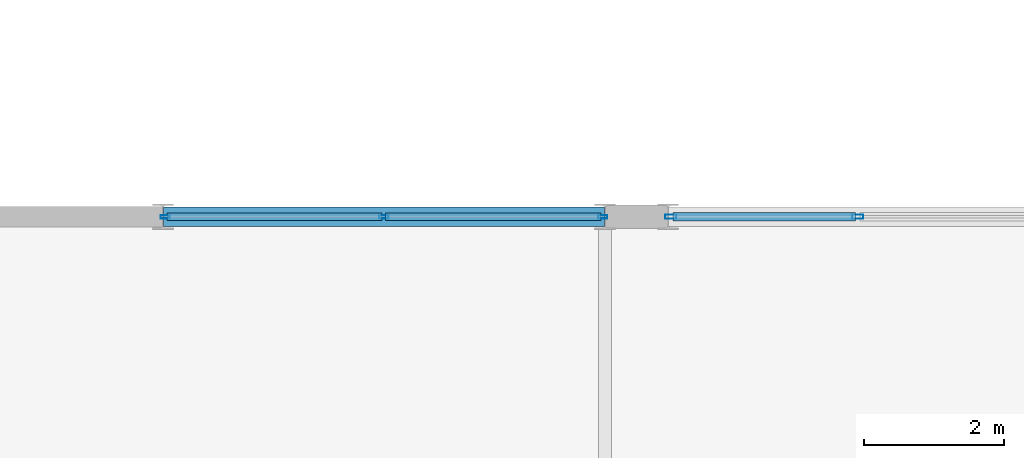
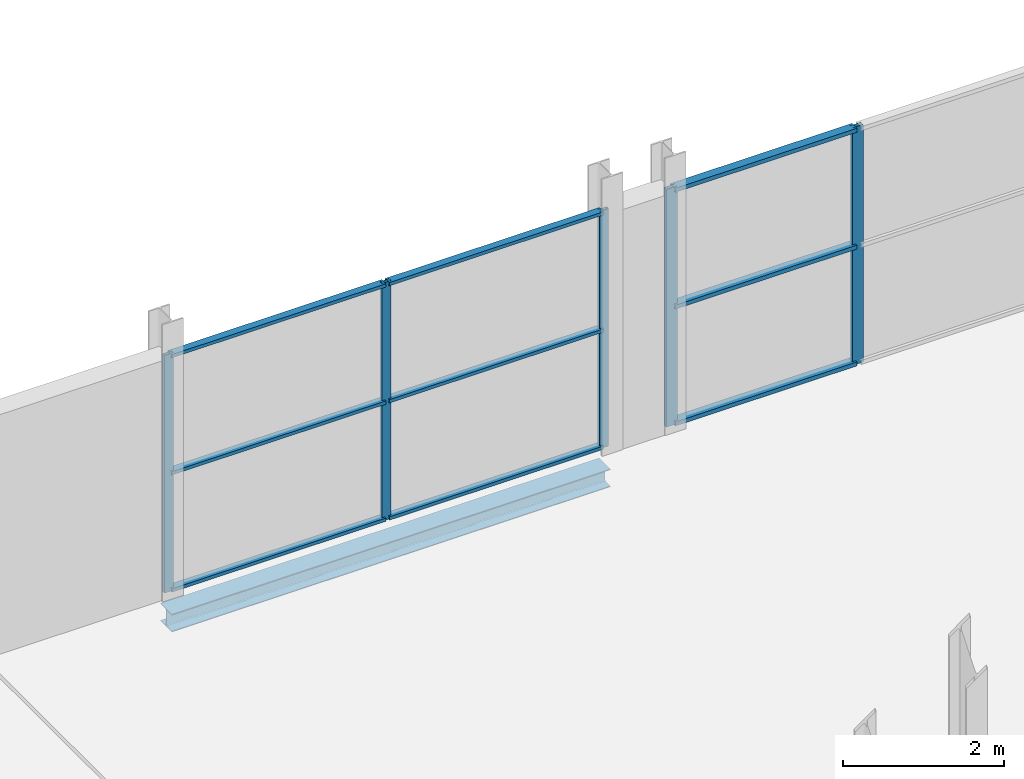
# One storey, part 67 of 103: 14 members, 1 beam, 2 elements without a shape of their own.
"""IFC4 building model written with IfcOpenShell, lengths in metres."""

from ifc_helpers import new_model, si_unit, direction, frame, origin, origin_2d, place, context, subcontext, project, spatial, hollow_rectangle, i_section, extrude, material, layer, layer_set, material_profile, profile_set, type_object, element, aggregate, save


model = new_model("IFC4")

# Units and contexts
model_context = context("Model", 3, precision=1e-05, world=origin(), true_north=direction((0.0, 1.0)))
body_context = subcontext(model_context, "Body", "Model", "MODEL_VIEW")
ifc_project = project(units=[si_unit("LENGTHUNIT", "METRE"), si_unit("AREAUNIT", "SQUARE_METRE"), si_unit("VOLUMEUNIT", "CUBIC_METRE"), si_unit("PLANEANGLEUNIT", "RADIAN"), si_unit("MASSUNIT", "GRAM", prefix="KILO")], contexts=[model_context])

# Site, building, storey
site_placement = place(None, origin())
site = spatial("IfcSite", under=ifc_project, at=site_placement, CompositionType="ELEMENT")
building_placement = place(site_placement, origin())
building = spatial("IfcBuilding", under=site, at=building_placement, Name="Deido Ridge Mobility Hub", CompositionType="ELEMENT")
storey_placement = place(building_placement, frame((0.0, 0.0, 12.60009765625)))
storey = spatial("IfcBuildingStorey", under=building, at=storey_placement, Name="L03", CompositionType="ELEMENT", Elevation=12.60009765625)

# Curtain wall, members
ifc_material_1 = material(Name="Anodised aluminium EN AW-6063 T6", Category="aluminium")
ifc_layer_1 = layer(ifc_material_1, 0.14404296875, Name="Anodised aluminium EN AW-6063 T6")
ifc_layer_set_1 = layer_set([ifc_layer_1], Name="Anodised aluminium EN AW-6063 T6")
curtain_wall_type_1 = type_object("IfcCurtainWallType", Name="CW-GS-2", PredefinedType="USERDEFINED", material=ifc_layer_set_1)
curtain_wall_1_placement = place(storey_placement, origin())
curtain_wall_1 = element("IfcCurtainWall", 1, at=curtain_wall_1_placement, inside=storey, type_object=curtain_wall_type_1, Name="Unitised curtain wall GS2", ObjectType="GLAZED SCREEN", PredefinedType="USERDEFINED")
ifc_material_profile_1 = material_profile(ifc_material_1, hollow_rectangle(XDim=0.050048828125, YDim=0.1298828125, WallThickness=0.00390625, at=origin_2d()), Name="RHS 50x130x4")
ifc_profile_set_1 = profile_set([ifc_material_profile_1], Name="Anodised aluminium EN AW-6063 T6")
member_type_1 = type_object("IfcMemberType", Name="MEM-MUL-50X130", PredefinedType="MULLION", material=ifc_profile_set_1)
member_1_placement = place(storey_placement, frame((146.731201171875, 72.0, 0.0), z_axis=(0.0, 0.0, 1.0), x_axis=(0.0, 1.0, 0.0)))
member_1 = element("IfcMember", 2, at=member_1_placement, type_object=member_type_1, Name="GS2 mullion 1", PredefinedType="MULLION", context=body_context, shape_type="SweptSolid", body=[
    extrude(hollow_rectangle(XDim=0.050048828125, YDim=0.1298828125, WallThickness=0.00390625, at=origin_2d()), origin(), (0.0, 0.0, 1.0), 3.599853515625),
])
member_2_placement = place(storey_placement, frame((149.85009765625, 72.0, 0.0), z_axis=(0.0, 0.0, 1.0), x_axis=(0.0, 1.0, 0.0)))
member_2 = element("IfcMember", 3, at=member_2_placement, type_object=member_type_1, Name="GS2 mullion 2", PredefinedType="MULLION", context=body_context, shape_type="SweptSolid", body=[
    extrude(hollow_rectangle(XDim=0.050048828125, YDim=0.1298828125, WallThickness=0.00390625, at=origin_2d()), origin(), (0.0, 0.0, 1.0), 3.599853515625),
])
member_3_placement = place(storey_placement, frame((152.96875, 72.0, 0.0), z_axis=(0.0, 0.0, 1.0), x_axis=(0.0, 1.0, 0.0)))
member_3 = element("IfcMember", 4, at=member_3_placement, type_object=member_type_1, Name="GS2 mullion 3", PredefinedType="MULLION", context=body_context, shape_type="SweptSolid", body=[
    extrude(hollow_rectangle(XDim=0.050048828125, YDim=0.1298828125, WallThickness=0.00390625, at=origin_2d()), origin(), (0.0, 0.0, 1.0), 3.599853515625),
])

ifc_layer_2 = layer(ifc_material_1, 0.16796875, Name="Anodised aluminium EN AW-6063 T6")
ifc_layer_set_2 = layer_set([ifc_layer_2], Name="Anodised aluminium EN AW-6063 T6")
curtain_wall_type_2 = type_object("IfcCurtainWallType", Name="CW-GS-4", PredefinedType="USERDEFINED", material=ifc_layer_set_2)
curtain_wall_2_placement = place(storey_placement, origin())
curtain_wall_2 = element("IfcCurtainWall", 5, at=curtain_wall_2_placement, inside=storey, type_object=curtain_wall_type_2, Name="Unitised curtain wall GS4", ObjectType="GLAZED SCREEN", PredefinedType="USERDEFINED")
ifc_material_profile_2 = material_profile(ifc_material_1, hollow_rectangle(XDim=0.06005859375, YDim=0.159912109375, WallThickness=0.00390625, at=origin_2d()), Name="RHS 60x160x4")
ifc_profile_set_2 = profile_set([ifc_material_profile_2], Name="Anodised aluminium EN AW-6063 T6")
member_type_2 = type_object("IfcMemberType", Name="MEM-MUL-60X160", PredefinedType="MULLION", material=ifc_profile_set_2)
member_4_placement = place(storey_placement, frame((153.936279296875, 72.0, 0.0), z_axis=(0.0, 0.0, 1.0), x_axis=(0.0, 1.0, 0.0)))
member_4 = element("IfcMember", 6, at=member_4_placement, type_object=member_type_2, Name="GS4 mullion 1", PredefinedType="MULLION", context=body_context, shape_type="SweptSolid", body=[
    extrude(hollow_rectangle(XDim=0.06005859375, YDim=0.159912109375, WallThickness=0.00390625, at=origin_2d()), origin(), (0.0, 0.0, 1.0), 3.599853515625),
])
member_5_placement = place(storey_placement, frame((156.60205078125, 72.0, 0.0), z_axis=(0.0, 0.0, 1.0), x_axis=(0.0, 1.0, 0.0)))
member_5 = element("IfcMember", 7, at=member_5_placement, type_object=member_type_2, Name="GS4 mullion 2", PredefinedType="MULLION", context=body_context, shape_type="SweptSolid", body=[
    extrude(hollow_rectangle(XDim=0.06005859375, YDim=0.159912109375, WallThickness=0.00390625, at=origin_2d()), origin(), (0.0, 0.0, 1.0), 3.599853515625),
])

# Member
ifc_material_profile_3 = material_profile(ifc_material_1, hollow_rectangle(XDim=0.10498046875, YDim=0.050048828125, WallThickness=0.00390625, at=origin_2d()), Name="RHS 105x50x4")
ifc_profile_set_3 = profile_set([ifc_material_profile_3], Name="Anodised aluminium EN AW-6063 T6")
member_type_3 = type_object("IfcMemberType", Name="MEM-TRN-105X50", PredefinedType="USERDEFINED", material=ifc_profile_set_3)
member_6_placement = place(storey_placement, frame((146.756103515625, 72.0, 0.02490234375), z_axis=(1.0, 0.0, 0.0), x_axis=(0.0, 1.0, 0.0)))
member_6 = element("IfcMember", 8, at=member_6_placement, type_object=member_type_3, Name="GS2 transom 1.1", ObjectType="TRANSOM", PredefinedType="USERDEFINED", context=body_context, shape_type="SweptSolid", body=[
    extrude(hollow_rectangle(XDim=0.10498046875, YDim=0.050048828125, WallThickness=0.00390625, at=origin_2d()), origin(), (0.0, 0.0, 1.0), 3.06884765625),
])

member_7_placement = place(storey_placement, frame((146.756103515625, 72.0, 1.7998046875), z_axis=(1.0, 0.0, 0.0), x_axis=(0.0, 1.0, 0.0)))
member_7 = element("IfcMember", 9, at=member_7_placement, type_object=member_type_3, Name="GS2 transom 1.2", ObjectType="TRANSOM", PredefinedType="USERDEFINED", context=body_context, shape_type="SweptSolid", body=[
    extrude(hollow_rectangle(XDim=0.10498046875, YDim=0.050048828125, WallThickness=0.00390625, at=origin_2d()), origin(), (0.0, 0.0, 1.0), 3.06884765625),
])

member_8_placement = place(storey_placement, frame((146.756103515625, 72.0, 3.574951171875), z_axis=(1.0, 0.0, 0.0), x_axis=(0.0, 1.0, 0.0)))
member_8 = element("IfcMember", 10, at=member_8_placement, type_object=member_type_3, Name="GS2 transom 1.3", ObjectType="TRANSOM", PredefinedType="USERDEFINED", context=body_context, shape_type="SweptSolid", body=[
    extrude(hollow_rectangle(XDim=0.10498046875, YDim=0.050048828125, WallThickness=0.00390625, at=origin_2d()), origin(), (0.0, 0.0, 1.0), 3.06884765625),
])

member_9_placement = place(storey_placement, frame((149.875, 72.0, 0.02490234375), z_axis=(1.0, 0.0, 0.0), x_axis=(0.0, 1.0, 0.0)))
member_9 = element("IfcMember", 11, at=member_9_placement, type_object=member_type_3, Name="GS2 transom 2.1", ObjectType="TRANSOM", PredefinedType="USERDEFINED", context=body_context, shape_type="SweptSolid", body=[
    extrude(hollow_rectangle(XDim=0.10498046875, YDim=0.050048828125, WallThickness=0.00390625, at=origin_2d()), origin(), (0.0, 0.0, 1.0), 3.06884765625),
])

member_10_placement = place(storey_placement, frame((149.875, 72.0, 1.7998046875), z_axis=(1.0, 0.0, 0.0), x_axis=(0.0, 1.0, 0.0)))
member_10 = element("IfcMember", 12, at=member_10_placement, type_object=member_type_3, Name="GS2 transom 2.2", ObjectType="TRANSOM", PredefinedType="USERDEFINED", context=body_context, shape_type="SweptSolid", body=[
    extrude(hollow_rectangle(XDim=0.10498046875, YDim=0.050048828125, WallThickness=0.00390625, at=origin_2d()), origin(), (0.0, 0.0, 1.0), 3.06884765625),
])

member_11_placement = place(storey_placement, frame((149.875, 72.0, 3.574951171875), z_axis=(1.0, 0.0, 0.0), x_axis=(0.0, 1.0, 0.0)))
member_11 = element("IfcMember", 13, at=member_11_placement, type_object=member_type_3, Name="GS2 transom 2.3", ObjectType="TRANSOM", PredefinedType="USERDEFINED", context=body_context, shape_type="SweptSolid", body=[
    extrude(hollow_rectangle(XDim=0.10498046875, YDim=0.050048828125, WallThickness=0.00390625, at=origin_2d()), origin(), (0.0, 0.0, 1.0), 3.06884765625),
])

aggregate(curtain_wall_1, [member_1, member_2, member_3, member_6, member_7, member_8, member_9, member_10, member_11])

ifc_material_profile_4 = material_profile(ifc_material_1, hollow_rectangle(XDim=0.125, YDim=0.06005859375, WallThickness=0.00390625, at=origin_2d()), Name="RHS 125x60x4")
ifc_profile_set_4 = profile_set([ifc_material_profile_4], Name="Anodised aluminium EN AW-6063 T6")
member_type_4 = type_object("IfcMemberType", Name="MEM-TRN-125X60", PredefinedType="USERDEFINED", material=ifc_profile_set_4)
member_12_placement = place(storey_placement, frame((153.96630859375, 72.0, 0.02978515625), z_axis=(1.0, 0.0, 0.0), x_axis=(0.0, 1.0, 0.0)))
member_12 = element("IfcMember", 14, at=member_12_placement, type_object=member_type_4, Name="GS4 transom 1.1", ObjectType="TRANSOM", PredefinedType="USERDEFINED", context=body_context, shape_type="SweptSolid", body=[
    extrude(hollow_rectangle(XDim=0.125, YDim=0.06005859375, WallThickness=0.00390625, at=origin_2d()), origin(), (0.0, 0.0, 1.0), 2.605712890625),
])

member_13_placement = place(storey_placement, frame((153.96630859375, 72.0, 1.7998046875), z_axis=(1.0, 0.0, 0.0), x_axis=(0.0, 1.0, 0.0)))
member_13 = element("IfcMember", 15, at=member_13_placement, type_object=member_type_4, Name="GS4 transom 1.2", ObjectType="TRANSOM", PredefinedType="USERDEFINED", context=body_context, shape_type="SweptSolid", body=[
    extrude(hollow_rectangle(XDim=0.125, YDim=0.06005859375, WallThickness=0.00390625, at=origin_2d()), origin(), (0.0, 0.0, 1.0), 2.605712890625),
])

member_14_placement = place(storey_placement, frame((153.96630859375, 72.0, 3.56982421875), z_axis=(1.0, 0.0, 0.0), x_axis=(0.0, 1.0, 0.0)))
member_14 = element("IfcMember", 16, at=member_14_placement, type_object=member_type_4, Name="GS4 transom 1.3", ObjectType="TRANSOM", PredefinedType="USERDEFINED", context=body_context, shape_type="SweptSolid", body=[
    extrude(hollow_rectangle(XDim=0.125, YDim=0.06005859375, WallThickness=0.00390625, at=origin_2d()), origin(), (0.0, 0.0, 1.0), 2.605712890625),
])

aggregate(curtain_wall_2, [member_4, member_5, member_12, member_13, member_14])

# Beam
ifc_material_2 = material(Name="Steel S355J2 EN 10025-2", Category="steel")
ifc_material_profile_5 = material_profile(ifc_material_2, i_section(OverallWidth=0.280029296875, OverallDepth=0.27001953125, WebThickness=0.008056640625, FlangeThickness=0.012939453125, FilletRadius=0.02392578125, at=origin_2d()), Name="HEA 280")
ifc_profile_set_5 = profile_set([ifc_material_profile_5], Name="Steel S355J2 EN 10025-2")
beam_type = type_object("IfcBeamType", Name="SPD-HEA280", PredefinedType="SPANDREL", material=ifc_profile_set_5)
beam_placement = place(storey_placement, frame((146.706298828125, 72.0, -0.400146484375), z_axis=(1.0, 0.0, 0.0), x_axis=(0.0, 1.0, 0.0)))
element("IfcBeam", 17, at=beam_placement, inside=storey, type_object=beam_type, Name="Floor beam SP2", PredefinedType="SPANDREL", context=body_context, shape_type="SweptSolid", body=[
    extrude(i_section(OverallWidth=0.280029296875, OverallDepth=0.27001953125, WebThickness=0.008056640625, FlangeThickness=0.012939453125, FilletRadius=0.02392578125, at=origin_2d()), origin(), (0.0, 0.0, 1.0), 6.28759765625),
])

save(model, "model.ifc")
